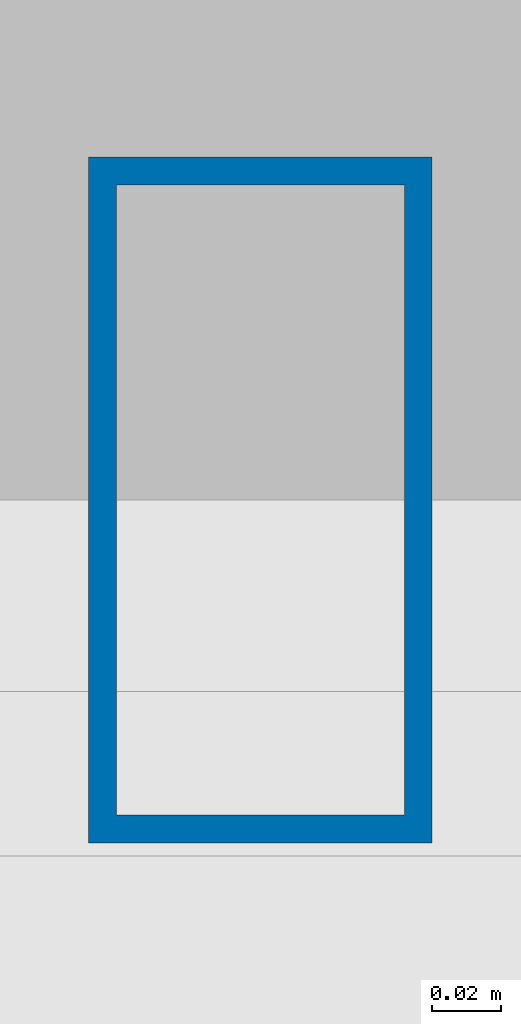
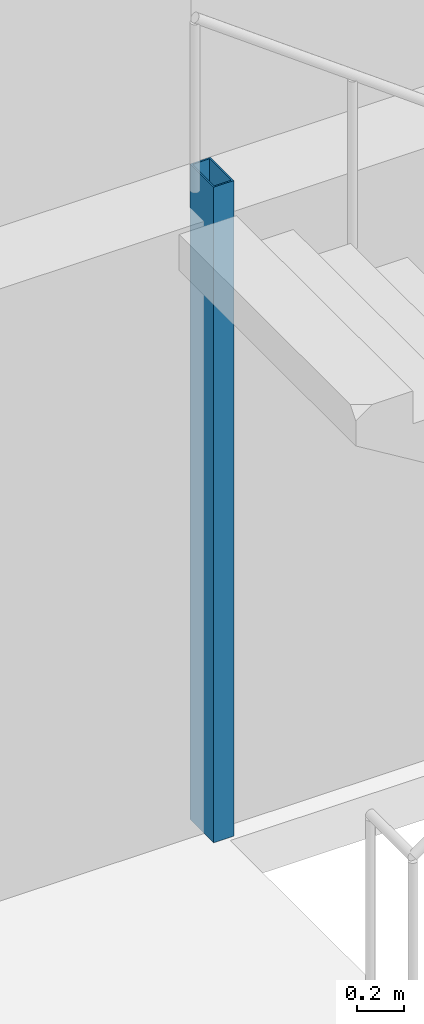
# One storey, part 2 of 19: 1 column.
"""IFC4 building model written with IfcOpenShell, lengths in metres."""

from ifc_helpers import new_model, si_unit, direction, frame, origin, origin_2d, place, context, subcontext, project, spatial, hollow_rectangle, extrude, material, material_profile, profile_set, type_object, element, save


model = new_model("IFC4")

# Units and contexts
model_context = context("Model", 3, precision=1e-05, world=origin(), true_north=direction((0.0, 1.0)))
body_context = subcontext(model_context, "Body", "Model", "MODEL_VIEW")
ifc_project = project(units=[si_unit("LENGTHUNIT", "METRE"), si_unit("AREAUNIT", "SQUARE_METRE"), si_unit("VOLUMEUNIT", "CUBIC_METRE"), si_unit("PLANEANGLEUNIT", "RADIAN"), si_unit("MASSUNIT", "GRAM", prefix="KILO")], contexts=[model_context])

# Site, building, storey
site_placement = place(None, origin())
site = spatial("IfcSite", under=ifc_project, at=site_placement, CompositionType="ELEMENT")
building_placement = place(site_placement, origin())
building = spatial("IfcBuilding", under=site, at=building_placement, Name="Menara Jurai Vektor", CompositionType="ELEMENT")
storey_placement = place(building_placement, frame((0.0, 0.0, 161.60009765625)))
storey = spatial("IfcBuildingStorey", under=building, at=storey_placement, Name="L41", CompositionType="ELEMENT", Elevation=161.60009765625)

# Column
ifc_material = material(Name="Steel S355", Category="steel")
ifc_material_profile = material_profile(ifc_material, hollow_rectangle(XDim=0.10009765625, YDim=0.199951171875, WallThickness=0.008056640625, at=origin_2d()), Name="RHS 200x100x8")
ifc_profile_set = profile_set([ifc_material_profile], Name="Steel S355")
column_type = type_object("IfcColumnType", Name="STR-COL-STAIR", PredefinedType="COLUMN", material=ifc_profile_set)
column_placement = place(storey_placement, frame((-11.1201171875, 5.419921875, 0.0), z_axis=(0.0, 0.0, 1.0), x_axis=(1.0, 0.0, 0.0)))
element("IfcColumn", 1, at=column_placement, inside=storey, type_object=column_type, Name="Stair Well Header Column ST1-P2 L41", PredefinedType="COLUMN", context=body_context, shape_type="SweptSolid", body=[
    extrude(hollow_rectangle(XDim=0.10009765625, YDim=0.199951171875, WallThickness=0.008056640625, at=origin_2d()), origin(), (0.0, 0.0, 1.0), 3.39990234375),
])

save(model, "model.ifc")
